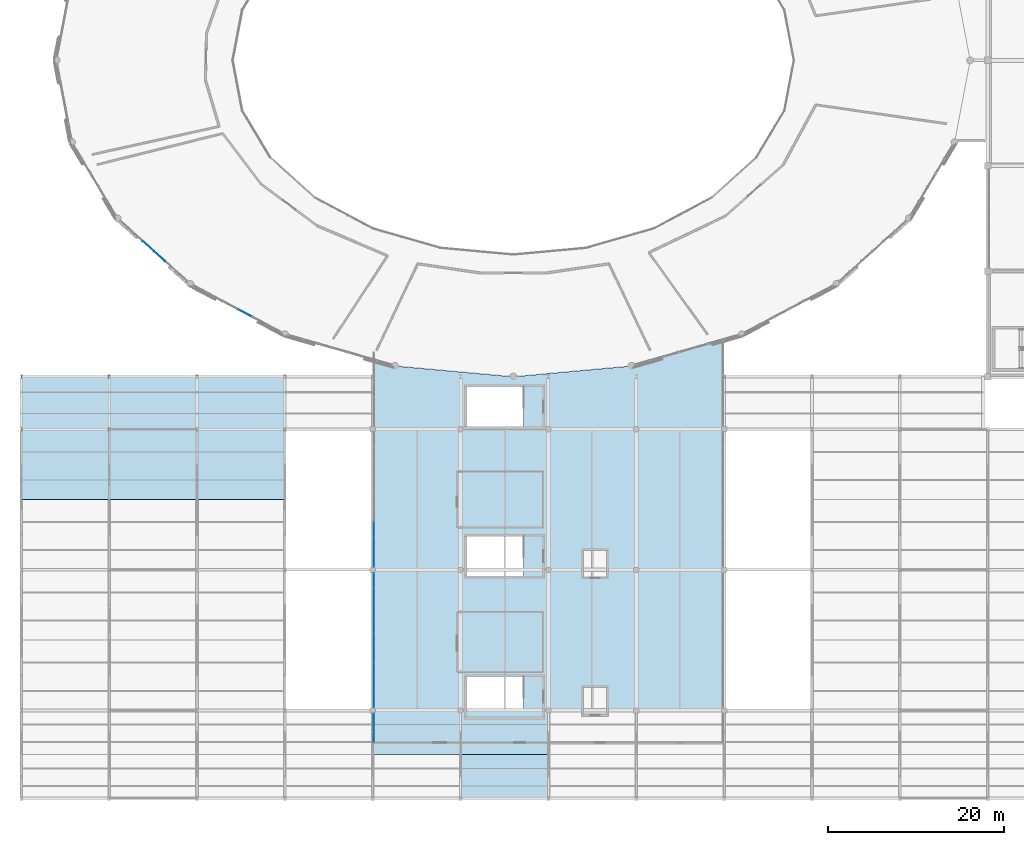
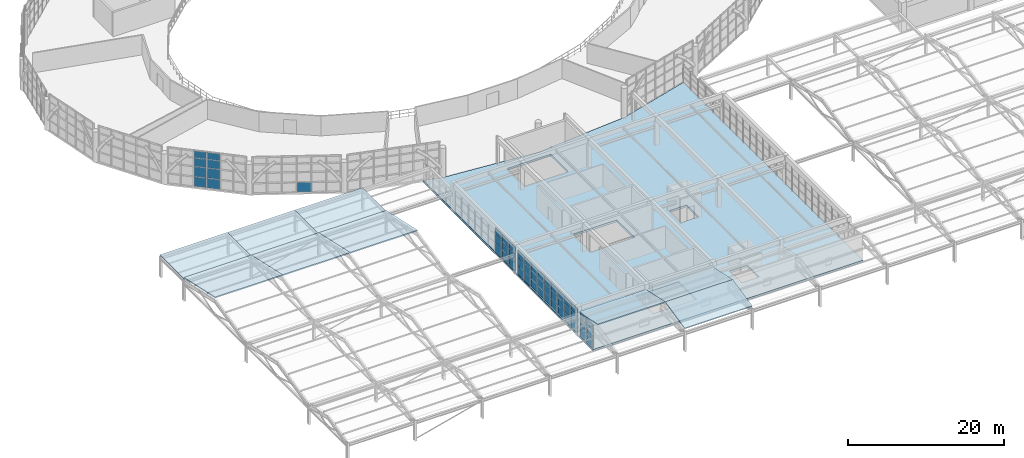
# One storey, part 61 of 109: 51 plates, 10 slabs, 6 elements without a shape of their own.
"""IFC4 building model written with IfcOpenShell, lengths in metres."""

from ifc_helpers import new_model, si_unit, direction, frame, origin, origin_2d, place, context, subcontext, project, spatial, polyline, rectangle, outline, extrude, material, layer, layer_set, type_object, element, aggregate, save


model = new_model("IFC4")

# Units and contexts
model_context = context("Model", 3, precision=1e-05, world=origin(), true_north=direction((0.0, 1.0)))
body_context = subcontext(model_context, "Body", "Model", "MODEL_VIEW")
ifc_project = project(units=[si_unit("LENGTHUNIT", "METRE"), si_unit("AREAUNIT", "SQUARE_METRE"), si_unit("VOLUMEUNIT", "CUBIC_METRE"), si_unit("PLANEANGLEUNIT", "RADIAN"), si_unit("MASSUNIT", "GRAM", prefix="KILO")], contexts=[model_context])

# Site, building, storey
site_placement = place(None, origin())
site = spatial("IfcSite", under=ifc_project, at=site_placement, CompositionType="ELEMENT")
building_placement = place(site_placement, origin())
building = spatial("IfcBuilding", under=site, at=building_placement, Name="Kivolera Central Railway Station", CompositionType="ELEMENT")
storey_placement = place(building_placement, frame((0.0, 0.0, 9.60009765625)))
storey = spatial("IfcBuildingStorey", under=building, at=storey_placement, Name="L02", CompositionType="ELEMENT", Elevation=9.60009765625)

# Curtain wall, plates
ifc_material_1 = material(Name="Anodised aluminium", Category="aluminium")
ifc_layer_1 = layer(ifc_material_1, 0.179931640625, Name="Anodised aluminium")
ifc_layer_set_1 = layer_set([ifc_layer_1], Name="Anodised aluminium")
curtain_wall_type_1 = type_object("IfcCurtainWallType", Name="CW-SYS-06", PredefinedType="NOTDEFINED", material=ifc_layer_set_1)
curtain_wall_1_placement = place(storey_placement, origin())
curtain_wall_1 = element("IfcCurtainWall", 1, at=curtain_wall_1_placement, inside=storey, type_object=curtain_wall_type_1, Name="L02 Curtain Wall CW-L02-OVL-14", PredefinedType="NOTDEFINED")
ifc_material_2 = material(Name="Double low-E laminated glass", Category="glass")
ifc_layer_2 = layer(ifc_material_2, 0.030029296875, Name="Double low-E laminated glass")
ifc_layer_set_2 = layer_set([ifc_layer_2], Name="Double low-E laminated glass")
plate_type_1 = type_object("IfcPlateType", Name="CWP-GLZ-2", PredefinedType="CURTAIN_PANEL", material=ifc_layer_set_2)
plate_1_placement = place(storey_placement, frame((23.737548828125, 67.6953125, 0.057861328125), z_axis=(0.0, 0.0, 1.0), x_axis=(-0.742431873669, 0.669921572246, 0.0)))
plate_1 = element("IfcPlate", 2, at=plate_1_placement, type_object=plate_type_1, Name="CW-06 panel 3.1", PredefinedType="CURTAIN_PANEL", context=body_context, shape_type="SweptSolid", body=[
    extrude(rectangle(XDim=1.675537109375, YDim=0.030029296875, at=origin_2d()), origin(), (0.0, 0.0, 1.0), 1.51904296875),
])
plate_2_placement = place(storey_placement, frame((23.737548828125, 67.6953125, 1.623046875), z_axis=(0.0, 0.0, 1.0), x_axis=(-0.742431873669, 0.669921572246, 0.0)))
plate_2 = element("IfcPlate", 3, at=plate_2_placement, type_object=plate_type_1, Name="CW-06 panel 3.2", PredefinedType="CURTAIN_PANEL", context=body_context, shape_type="SweptSolid", body=[
    extrude(rectangle(XDim=1.675537109375, YDim=0.030029296875, at=origin_2d()), origin(), (0.0, 0.0, 1.0), 1.553955078125),
])
plate_3_placement = place(storey_placement, frame((23.737548828125, 67.6953125, 3.22314453125), z_axis=(0.0, 0.0, 1.0), x_axis=(-0.742431873669, 0.669921572246, 0.0)))
plate_3 = element("IfcPlate", 4, at=plate_3_placement, type_object=plate_type_1, Name="CW-06 panel 3.3", PredefinedType="CURTAIN_PANEL", context=body_context, shape_type="SweptSolid", body=[
    extrude(rectangle(XDim=1.675537109375, YDim=0.030029296875, at=origin_2d()), origin(), (0.0, 0.0, 1.0), 1.303955078125),
])
plate_4_placement = place(storey_placement, frame((23.737548828125, 67.6953125, 4.57275390625), z_axis=(0.0, 0.0, 1.0), x_axis=(-0.742431873669, 0.669921572246, 0.0)))
plate_4 = element("IfcPlate", 5, at=plate_4_placement, type_object=plate_type_1, Name="CW-06 panel 3.4", PredefinedType="CURTAIN_PANEL", context=body_context, shape_type="SweptSolid", body=[
    extrude(rectangle(XDim=1.675537109375, YDim=0.030029296875, at=origin_2d()), origin(), (0.0, 0.0, 1.0), 1.069091796875),
])
plate_5_placement = place(storey_placement, frame((22.45947265625, 68.8486328125, 0.057861328125), z_axis=(0.0, 0.0, 1.0), x_axis=(-0.742431873669, 0.669921572246, 0.0)))
plate_5 = element("IfcPlate", 6, at=plate_5_placement, type_object=plate_type_1, Name="CW-06 panel 4.1", PredefinedType="CURTAIN_PANEL", context=body_context, shape_type="SweptSolid", body=[
    extrude(rectangle(XDim=1.675537109375, YDim=0.030029296875, at=origin_2d()), origin(), (0.0, 0.0, 1.0), 1.51904296875),
])
plate_6_placement = place(storey_placement, frame((22.45947265625, 68.8486328125, 1.623046875), z_axis=(0.0, 0.0, 1.0), x_axis=(-0.742431873669, 0.669921572246, 0.0)))
plate_6 = element("IfcPlate", 7, at=plate_6_placement, type_object=plate_type_1, Name="CW-06 panel 4.2", PredefinedType="CURTAIN_PANEL", context=body_context, shape_type="SweptSolid", body=[
    extrude(rectangle(XDim=1.675537109375, YDim=0.030029296875, at=origin_2d()), origin(), (0.0, 0.0, 1.0), 1.553955078125),
])
plate_7_placement = place(storey_placement, frame((22.45947265625, 68.8486328125, 3.22314453125), z_axis=(0.0, 0.0, 1.0), x_axis=(-0.742431873669, 0.669921572246, 0.0)))
plate_7 = element("IfcPlate", 8, at=plate_7_placement, type_object=plate_type_1, Name="CW-06 panel 4.3", PredefinedType="CURTAIN_PANEL", context=body_context, shape_type="SweptSolid", body=[
    extrude(rectangle(XDim=1.675537109375, YDim=0.030029296875, at=origin_2d()), origin(), (0.0, 0.0, 1.0), 1.303955078125),
])
plate_8_placement = place(storey_placement, frame((22.45947265625, 68.8486328125, 4.57275390625), z_axis=(0.0, 0.0, 1.0), x_axis=(-0.742431873669, 0.669921572246, 0.0)))
plate_8 = element("IfcPlate", 9, at=plate_8_placement, type_object=plate_type_1, Name="CW-06 panel 4.4", PredefinedType="CURTAIN_PANEL", context=body_context, shape_type="SweptSolid", body=[
    extrude(rectangle(XDim=1.675537109375, YDim=0.030029296875, at=origin_2d()), origin(), (0.0, 0.0, 1.0), 1.069091796875),
])
aggregate(curtain_wall_1, [plate_1, plate_2, plate_3, plate_4, plate_5, plate_6, plate_7, plate_8])

ifc_layer_3 = layer(ifc_material_1, 0.179931640625, Name="Anodised aluminium")
ifc_layer_set_3 = layer_set([ifc_layer_3], Name="Anodised aluminium")
curtain_wall_type_2 = type_object("IfcCurtainWallType", Name="CW-SYS-17", PredefinedType="NOTDEFINED", material=ifc_layer_set_3)
curtain_wall_2_placement = place(storey_placement, origin())
curtain_wall_2 = element("IfcCurtainWall", 10, at=curtain_wall_2_placement, inside=storey, type_object=curtain_wall_type_2, Name="L02 Curtain Wall CW-L02-BRGW-1", PredefinedType="NOTDEFINED")
plate_9_placement = place(storey_placement, frame((48.1201171875, 13.199951171875, 0.0478515625), z_axis=(0.0, 0.0, 1.0), x_axis=(0.0, 1.0, 0.0)))
plate_9 = element("IfcPlate", 11, at=plate_9_placement, type_object=plate_type_1, Name="CW-17 panel 1.1", PredefinedType="CURTAIN_PANEL", context=body_context, shape_type="SweptSolid", body=[
    extrude(rectangle(XDim=1.60400390625, YDim=0.030029296875, at=origin_2d()), origin(), (0.0, 0.0, 1.0), 1.263916015625),
])
plate_10_placement = place(storey_placement, frame((48.1201171875, 13.199951171875, 1.347900390625), z_axis=(0.0, 0.0, 1.0), x_axis=(0.0, 1.0, 0.0)))
plate_10 = element("IfcPlate", 12, at=plate_10_placement, type_object=plate_type_1, Name="CW-17 panel 1.2", PredefinedType="CURTAIN_PANEL", context=body_context, shape_type="SweptSolid", body=[
    extrude(rectangle(XDim=1.60400390625, YDim=0.030029296875, at=origin_2d()), origin(), (0.0, 0.0, 1.0), 1.2939453125),
])
plate_11_placement = place(storey_placement, frame((48.1201171875, 13.199951171875, 2.677734375), z_axis=(0.0, 0.0, 1.0), x_axis=(0.0, 1.0, 0.0)))
plate_11 = element("IfcPlate", 13, at=plate_11_placement, type_object=plate_type_1, Name="CW-17 panel 1.3", PredefinedType="CURTAIN_PANEL", context=body_context, shape_type="SweptSolid", body=[
    extrude(rectangle(XDim=1.60400390625, YDim=0.030029296875, at=origin_2d()), origin(), (0.0, 0.0, 1.0), 1.073974609375),
])
plate_12_placement = place(storey_placement, frame((48.1201171875, 14.840087890625, 0.0478515625), z_axis=(0.0, 0.0, 1.0), x_axis=(0.0, 1.0, 0.0)))
plate_12 = element("IfcPlate", 14, at=plate_12_placement, type_object=plate_type_1, Name="CW-17 panel 2.1", PredefinedType="CURTAIN_PANEL", context=body_context, shape_type="SweptSolid", body=[
    extrude(rectangle(XDim=1.60400390625, YDim=0.030029296875, at=origin_2d()), origin(), (0.0, 0.0, 1.0), 1.263916015625),
])
plate_13_placement = place(storey_placement, frame((48.1201171875, 14.840087890625, 1.347900390625), z_axis=(0.0, 0.0, 1.0), x_axis=(0.0, 1.0, 0.0)))
plate_13 = element("IfcPlate", 15, at=plate_13_placement, type_object=plate_type_1, Name="CW-17 panel 2.2", PredefinedType="CURTAIN_PANEL", context=body_context, shape_type="SweptSolid", body=[
    extrude(rectangle(XDim=1.60400390625, YDim=0.030029296875, at=origin_2d()), origin(), (0.0, 0.0, 1.0), 1.2939453125),
])
plate_14_placement = place(storey_placement, frame((48.1201171875, 14.840087890625, 2.677734375), z_axis=(0.0, 0.0, 1.0), x_axis=(0.0, 1.0, 0.0)))
plate_14 = element("IfcPlate", 16, at=plate_14_placement, type_object=plate_type_1, Name="CW-17 panel 2.3", PredefinedType="CURTAIN_PANEL", context=body_context, shape_type="SweptSolid", body=[
    extrude(rectangle(XDim=1.60400390625, YDim=0.030029296875, at=origin_2d()), origin(), (0.0, 0.0, 1.0), 1.073974609375),
])
aggregate(curtain_wall_2, [plate_9, plate_10, plate_11, plate_12, plate_13, plate_14])

# Curtain wall, plate
ifc_layer_4 = layer(ifc_material_1, 0.179931640625, Name="Anodised aluminium")
ifc_layer_set_4 = layer_set([ifc_layer_4], Name="Anodised aluminium")
curtain_wall_type_3 = type_object("IfcCurtainWallType", Name="CW-SYS-09", PredefinedType="NOTDEFINED", material=ifc_layer_set_4)
curtain_wall_3_placement = place(storey_placement, origin())
curtain_wall_3 = element("IfcCurtainWall", 17, at=curtain_wall_3_placement, inside=storey, type_object=curtain_wall_type_3, Name="L02 Curtain Wall CW-L02-OVL-15", PredefinedType="NOTDEFINED")
ifc_layer_5 = layer(ifc_material_2, 0.033935546875, Name="Double low-E laminated glass")
ifc_layer_set_5 = layer_set([ifc_layer_5], Name="Double low-E laminated glass")
plate_type_2 = type_object("IfcPlateType", Name="CWP-GLZ-3", PredefinedType="CURTAIN_PANEL", material=ifc_layer_set_5)
plate_15_placement = place(storey_placement, frame((33.45361328125, 61.238037109375, 0.057861328125), z_axis=(0.0, 0.0, 1.0), x_axis=(-0.883170250772, 0.46905256438, 0.0)))
plate_15 = element("IfcPlate", 18, at=plate_15_placement, type_object=plate_type_2, Name="CW-09 panel 3.1", PredefinedType="CURTAIN_PANEL", context=body_context, shape_type="SweptSolid", body=[
    extrude(rectangle(XDim=1.853271484375, YDim=0.033935546875, at=origin_2d()), origin(), (0.0, 0.0, 1.0), 1.51904296875),
])
aggregate(curtain_wall_3, [plate_15])

# Curtain wall, plates
ifc_layer_6 = layer(ifc_material_1, 0.179931640625, Name="Anodised aluminium")
ifc_layer_set_6 = layer_set([ifc_layer_6], Name="Anodised aluminium")
curtain_wall_type_4 = type_object("IfcCurtainWallType", Name="CW-SYS-18", PredefinedType="NOTDEFINED", material=ifc_layer_set_6)
curtain_wall_4_placement = place(storey_placement, origin())
curtain_wall_4 = element("IfcCurtainWall", 19, at=curtain_wall_4_placement, inside=storey, type_object=curtain_wall_type_4, Name="L02 Curtain Wall CW-L02-BRGW-2", PredefinedType="NOTDEFINED")
plate_16_placement = place(storey_placement, frame((48.1201171875, 17.179443359375, 0.0478515625), z_axis=(0.0, 0.0, 1.0), x_axis=(0.0, 1.0, 0.0)))
plate_16 = element("IfcPlate", 20, at=plate_16_placement, type_object=plate_type_2, Name="CW-18 panel 1.1", PredefinedType="CURTAIN_PANEL", context=body_context, shape_type="SweptSolid", body=[
    extrude(rectangle(XDim=1.642822265625, YDim=0.033935546875, at=origin_2d()), origin(), (0.0, 0.0, 1.0), 1.263916015625),
])
plate_17_placement = place(storey_placement, frame((48.1201171875, 17.179443359375, 1.347900390625), z_axis=(0.0, 0.0, 1.0), x_axis=(0.0, 1.0, 0.0)))
plate_17 = element("IfcPlate", 21, at=plate_17_placement, type_object=plate_type_2, Name="CW-18 panel 1.2", PredefinedType="CURTAIN_PANEL", context=body_context, shape_type="SweptSolid", body=[
    extrude(rectangle(XDim=1.642822265625, YDim=0.033935546875, at=origin_2d()), origin(), (0.0, 0.0, 1.0), 1.2939453125),
])
plate_18_placement = place(storey_placement, frame((48.1201171875, 17.179443359375, 2.677734375), z_axis=(0.0, 0.0, 1.0), x_axis=(0.0, 1.0, 0.0)))
plate_18 = element("IfcPlate", 22, at=plate_18_placement, type_object=plate_type_2, Name="CW-18 panel 1.3", PredefinedType="CURTAIN_PANEL", context=body_context, shape_type="SweptSolid", body=[
    extrude(rectangle(XDim=1.642822265625, YDim=0.033935546875, at=origin_2d()), origin(), (0.0, 0.0, 1.0), 1.073974609375),
])
plate_19_placement = place(storey_placement, frame((48.1201171875, 18.873291015625, 0.0478515625), z_axis=(0.0, 0.0, 1.0), x_axis=(0.0, 1.0, 0.0)))
plate_19 = element("IfcPlate", 23, at=plate_19_placement, type_object=plate_type_2, Name="CW-18 panel 2.1", PredefinedType="CURTAIN_PANEL", context=body_context, shape_type="SweptSolid", body=[
    extrude(rectangle(XDim=1.6728515625, YDim=0.033935546875, at=origin_2d()), origin(), (0.0, 0.0, 1.0), 1.263916015625),
])
plate_20_placement = place(storey_placement, frame((48.1201171875, 18.873291015625, 1.347900390625), z_axis=(0.0, 0.0, 1.0), x_axis=(0.0, 1.0, 0.0)))
plate_20 = element("IfcPlate", 24, at=plate_20_placement, type_object=plate_type_2, Name="CW-18 panel 2.2", PredefinedType="CURTAIN_PANEL", context=body_context, shape_type="SweptSolid", body=[
    extrude(rectangle(XDim=1.6728515625, YDim=0.033935546875, at=origin_2d()), origin(), (0.0, 0.0, 1.0), 1.2939453125),
])
plate_21_placement = place(storey_placement, frame((48.1201171875, 18.873291015625, 2.677734375), z_axis=(0.0, 0.0, 1.0), x_axis=(0.0, 1.0, 0.0)))
plate_21 = element("IfcPlate", 25, at=plate_21_placement, type_object=plate_type_2, Name="CW-18 panel 2.3", PredefinedType="CURTAIN_PANEL", context=body_context, shape_type="SweptSolid", body=[
    extrude(rectangle(XDim=1.6728515625, YDim=0.033935546875, at=origin_2d()), origin(), (0.0, 0.0, 1.0), 1.073974609375),
])
plate_22_placement = place(storey_placement, frame((48.1201171875, 20.582275390625, 0.0478515625), z_axis=(0.0, 0.0, 1.0), x_axis=(0.0, 1.0, 0.0)))
plate_22 = element("IfcPlate", 26, at=plate_22_placement, type_object=plate_type_2, Name="CW-18 panel 3.1", PredefinedType="CURTAIN_PANEL", context=body_context, shape_type="SweptSolid", body=[
    extrude(rectangle(XDim=1.6728515625, YDim=0.033935546875, at=origin_2d()), origin(), (0.0, 0.0, 1.0), 1.263916015625),
])
plate_23_placement = place(storey_placement, frame((48.1201171875, 20.582275390625, 1.347900390625), z_axis=(0.0, 0.0, 1.0), x_axis=(0.0, 1.0, 0.0)))
plate_23 = element("IfcPlate", 27, at=plate_23_placement, type_object=plate_type_2, Name="CW-18 panel 3.2", PredefinedType="CURTAIN_PANEL", context=body_context, shape_type="SweptSolid", body=[
    extrude(rectangle(XDim=1.6728515625, YDim=0.033935546875, at=origin_2d()), origin(), (0.0, 0.0, 1.0), 1.2939453125),
])
plate_24_placement = place(storey_placement, frame((48.1201171875, 20.582275390625, 2.677734375), z_axis=(0.0, 0.0, 1.0), x_axis=(0.0, 1.0, 0.0)))
plate_24 = element("IfcPlate", 28, at=plate_24_placement, type_object=plate_type_2, Name="CW-18 panel 3.3", PredefinedType="CURTAIN_PANEL", context=body_context, shape_type="SweptSolid", body=[
    extrude(rectangle(XDim=1.6728515625, YDim=0.033935546875, at=origin_2d()), origin(), (0.0, 0.0, 1.0), 1.073974609375),
])
plate_25_placement = place(storey_placement, frame((48.1201171875, 22.291015625, 0.0478515625), z_axis=(0.0, 0.0, 1.0), x_axis=(0.0, 1.0, 0.0)))
plate_25 = element("IfcPlate", 29, at=plate_25_placement, type_object=plate_type_2, Name="CW-18 panel 4.1", PredefinedType="CURTAIN_PANEL", context=body_context, shape_type="SweptSolid", body=[
    extrude(rectangle(XDim=1.6728515625, YDim=0.033935546875, at=origin_2d()), origin(), (0.0, 0.0, 1.0), 1.263916015625),
])
plate_26_placement = place(storey_placement, frame((48.1201171875, 22.291015625, 1.347900390625), z_axis=(0.0, 0.0, 1.0), x_axis=(0.0, 1.0, 0.0)))
plate_26 = element("IfcPlate", 30, at=plate_26_placement, type_object=plate_type_2, Name="CW-18 panel 4.2", PredefinedType="CURTAIN_PANEL", context=body_context, shape_type="SweptSolid", body=[
    extrude(rectangle(XDim=1.6728515625, YDim=0.033935546875, at=origin_2d()), origin(), (0.0, 0.0, 1.0), 1.2939453125),
])
plate_27_placement = place(storey_placement, frame((48.1201171875, 22.291015625, 2.677734375), z_axis=(0.0, 0.0, 1.0), x_axis=(0.0, 1.0, 0.0)))
plate_27 = element("IfcPlate", 31, at=plate_27_placement, type_object=plate_type_2, Name="CW-18 panel 4.3", PredefinedType="CURTAIN_PANEL", context=body_context, shape_type="SweptSolid", body=[
    extrude(rectangle(XDim=1.6728515625, YDim=0.033935546875, at=origin_2d()), origin(), (0.0, 0.0, 1.0), 1.073974609375),
])
plate_28_placement = place(storey_placement, frame((48.1201171875, 24.0, 0.0478515625), z_axis=(0.0, 0.0, 1.0), x_axis=(0.0, 1.0, 0.0)))
plate_28 = element("IfcPlate", 32, at=plate_28_placement, type_object=plate_type_2, Name="CW-18 panel 5.1", PredefinedType="CURTAIN_PANEL", context=body_context, shape_type="SweptSolid", body=[
    extrude(rectangle(XDim=1.6728515625, YDim=0.033935546875, at=origin_2d()), origin(), (0.0, 0.0, 1.0), 1.263916015625),
])
plate_29_placement = place(storey_placement, frame((48.1201171875, 24.0, 1.347900390625), z_axis=(0.0, 0.0, 1.0), x_axis=(0.0, 1.0, 0.0)))
plate_29 = element("IfcPlate", 33, at=plate_29_placement, type_object=plate_type_2, Name="CW-18 panel 5.2", PredefinedType="CURTAIN_PANEL", context=body_context, shape_type="SweptSolid", body=[
    extrude(rectangle(XDim=1.6728515625, YDim=0.033935546875, at=origin_2d()), origin(), (0.0, 0.0, 1.0), 1.2939453125),
])
plate_30_placement = place(storey_placement, frame((48.1201171875, 24.0, 2.677734375), z_axis=(0.0, 0.0, 1.0), x_axis=(0.0, 1.0, 0.0)))
plate_30 = element("IfcPlate", 34, at=plate_30_placement, type_object=plate_type_2, Name="CW-18 panel 5.3", PredefinedType="CURTAIN_PANEL", context=body_context, shape_type="SweptSolid", body=[
    extrude(rectangle(XDim=1.6728515625, YDim=0.033935546875, at=origin_2d()), origin(), (0.0, 0.0, 1.0), 1.073974609375),
])
plate_31_placement = place(storey_placement, frame((48.1201171875, 25.708984375, 0.0478515625), z_axis=(0.0, 0.0, 1.0), x_axis=(0.0, 1.0, 0.0)))
plate_31 = element("IfcPlate", 35, at=plate_31_placement, type_object=plate_type_2, Name="CW-18 panel 6.1", PredefinedType="CURTAIN_PANEL", context=body_context, shape_type="SweptSolid", body=[
    extrude(rectangle(XDim=1.6728515625, YDim=0.033935546875, at=origin_2d()), origin(), (0.0, 0.0, 1.0), 1.263916015625),
])
plate_32_placement = place(storey_placement, frame((48.1201171875, 25.708984375, 1.347900390625), z_axis=(0.0, 0.0, 1.0), x_axis=(0.0, 1.0, 0.0)))
plate_32 = element("IfcPlate", 36, at=plate_32_placement, type_object=plate_type_2, Name="CW-18 panel 6.2", PredefinedType="CURTAIN_PANEL", context=body_context, shape_type="SweptSolid", body=[
    extrude(rectangle(XDim=1.6728515625, YDim=0.033935546875, at=origin_2d()), origin(), (0.0, 0.0, 1.0), 1.2939453125),
])
plate_33_placement = place(storey_placement, frame((48.1201171875, 25.708984375, 2.677734375), z_axis=(0.0, 0.0, 1.0), x_axis=(0.0, 1.0, 0.0)))
plate_33 = element("IfcPlate", 37, at=plate_33_placement, type_object=plate_type_2, Name="CW-18 panel 6.3", PredefinedType="CURTAIN_PANEL", context=body_context, shape_type="SweptSolid", body=[
    extrude(rectangle(XDim=1.6728515625, YDim=0.033935546875, at=origin_2d()), origin(), (0.0, 0.0, 1.0), 1.073974609375),
])
plate_34_placement = place(storey_placement, frame((48.1201171875, 27.417724609375, 0.0478515625), z_axis=(0.0, 0.0, 1.0), x_axis=(0.0, 1.0, 0.0)))
plate_34 = element("IfcPlate", 38, at=plate_34_placement, type_object=plate_type_2, Name="CW-18 panel 7.1", PredefinedType="CURTAIN_PANEL", context=body_context, shape_type="SweptSolid", body=[
    extrude(rectangle(XDim=1.6728515625, YDim=0.033935546875, at=origin_2d()), origin(), (0.0, 0.0, 1.0), 1.263916015625),
])
plate_35_placement = place(storey_placement, frame((48.1201171875, 27.417724609375, 1.347900390625), z_axis=(0.0, 0.0, 1.0), x_axis=(0.0, 1.0, 0.0)))
plate_35 = element("IfcPlate", 39, at=plate_35_placement, type_object=plate_type_2, Name="CW-18 panel 7.2", PredefinedType="CURTAIN_PANEL", context=body_context, shape_type="SweptSolid", body=[
    extrude(rectangle(XDim=1.6728515625, YDim=0.033935546875, at=origin_2d()), origin(), (0.0, 0.0, 1.0), 1.2939453125),
])
plate_36_placement = place(storey_placement, frame((48.1201171875, 27.417724609375, 2.677734375), z_axis=(0.0, 0.0, 1.0), x_axis=(0.0, 1.0, 0.0)))
plate_36 = element("IfcPlate", 40, at=plate_36_placement, type_object=plate_type_2, Name="CW-18 panel 7.3", PredefinedType="CURTAIN_PANEL", context=body_context, shape_type="SweptSolid", body=[
    extrude(rectangle(XDim=1.6728515625, YDim=0.033935546875, at=origin_2d()), origin(), (0.0, 0.0, 1.0), 1.073974609375),
])
plate_37_placement = place(storey_placement, frame((48.1201171875, 29.126708984375, 0.0478515625), z_axis=(0.0, 0.0, 1.0), x_axis=(0.0, 1.0, 0.0)))
plate_37 = element("IfcPlate", 41, at=plate_37_placement, type_object=plate_type_2, Name="CW-18 panel 8.1", PredefinedType="CURTAIN_PANEL", context=body_context, shape_type="SweptSolid", body=[
    extrude(rectangle(XDim=1.6728515625, YDim=0.033935546875, at=origin_2d()), origin(), (0.0, 0.0, 1.0), 1.263916015625),
])
plate_38_placement = place(storey_placement, frame((48.1201171875, 29.126708984375, 1.347900390625), z_axis=(0.0, 0.0, 1.0), x_axis=(0.0, 1.0, 0.0)))
plate_38 = element("IfcPlate", 42, at=plate_38_placement, type_object=plate_type_2, Name="CW-18 panel 8.2", PredefinedType="CURTAIN_PANEL", context=body_context, shape_type="SweptSolid", body=[
    extrude(rectangle(XDim=1.6728515625, YDim=0.033935546875, at=origin_2d()), origin(), (0.0, 0.0, 1.0), 1.2939453125),
])
plate_39_placement = place(storey_placement, frame((48.1201171875, 29.126708984375, 2.677734375), z_axis=(0.0, 0.0, 1.0), x_axis=(0.0, 1.0, 0.0)))
plate_39 = element("IfcPlate", 43, at=plate_39_placement, type_object=plate_type_2, Name="CW-18 panel 8.3", PredefinedType="CURTAIN_PANEL", context=body_context, shape_type="SweptSolid", body=[
    extrude(rectangle(XDim=1.6728515625, YDim=0.033935546875, at=origin_2d()), origin(), (0.0, 0.0, 1.0), 1.073974609375),
])
plate_40_placement = place(storey_placement, frame((48.1201171875, 30.820556640625, 0.0478515625), z_axis=(0.0, 0.0, 1.0), x_axis=(0.0, 1.0, 0.0)))
plate_40 = element("IfcPlate", 44, at=plate_40_placement, type_object=plate_type_2, Name="CW-18 panel 9.1", PredefinedType="CURTAIN_PANEL", context=body_context, shape_type="SweptSolid", body=[
    extrude(rectangle(XDim=1.642822265625, YDim=0.033935546875, at=origin_2d()), origin(), (0.0, 0.0, 1.0), 1.263916015625),
])
plate_41_placement = place(storey_placement, frame((48.1201171875, 30.820556640625, 1.347900390625), z_axis=(0.0, 0.0, 1.0), x_axis=(0.0, 1.0, 0.0)))
plate_41 = element("IfcPlate", 45, at=plate_41_placement, type_object=plate_type_2, Name="CW-18 panel 9.2", PredefinedType="CURTAIN_PANEL", context=body_context, shape_type="SweptSolid", body=[
    extrude(rectangle(XDim=1.642822265625, YDim=0.033935546875, at=origin_2d()), origin(), (0.0, 0.0, 1.0), 1.2939453125),
])
plate_42_placement = place(storey_placement, frame((48.1201171875, 30.820556640625, 2.677734375), z_axis=(0.0, 0.0, 1.0), x_axis=(0.0, 1.0, 0.0)))
plate_42 = element("IfcPlate", 46, at=plate_42_placement, type_object=plate_type_2, Name="CW-18 panel 9.3", PredefinedType="CURTAIN_PANEL", context=body_context, shape_type="SweptSolid", body=[
    extrude(rectangle(XDim=1.642822265625, YDim=0.033935546875, at=origin_2d()), origin(), (0.0, 0.0, 1.0), 1.073974609375),
])
aggregate(curtain_wall_4, [plate_16, plate_17, plate_18, plate_19, plate_20, plate_21, plate_22, plate_23, plate_24, plate_25, plate_26, plate_27, plate_28, plate_29, plate_30, plate_31, plate_32, plate_33, plate_34, plate_35, plate_36, plate_37, plate_38, plate_39, plate_40, plate_41, plate_42])

curtain_wall_5_placement = place(storey_placement, origin())
curtain_wall_5 = element("IfcCurtainWall", 47, at=curtain_wall_5_placement, inside=storey, type_object=curtain_wall_type_4, Name="L02 Curtain Wall CW-L02-BRGW-3", PredefinedType="NOTDEFINED")
ifc_layer_7 = layer(ifc_material_2, 0.0380859375, Name="Double low-E laminated glass")
ifc_layer_set_7 = layer_set([ifc_layer_7], Name="Double low-E laminated glass")
plate_type_3 = type_object("IfcPlateType", Name="CWP-GLZ-4", PredefinedType="CURTAIN_PANEL", material=ifc_layer_set_7)
plate_43_placement = place(storey_placement, frame((48.1201171875, 33.179443359375, 0.0478515625), z_axis=(0.0, 0.0, 1.0), x_axis=(0.0, 1.0, 0.0)))
plate_43 = element("IfcPlate", 48, at=plate_43_placement, type_object=plate_type_3, Name="CW-18 panel 1.1", PredefinedType="CURTAIN_PANEL", context=body_context, shape_type="SweptSolid", body=[
    extrude(rectangle(XDim=1.642822265625, YDim=0.0380859375, at=origin_2d()), origin(), (0.0, 0.0, 1.0), 1.263916015625),
])
plate_44_placement = place(storey_placement, frame((48.1201171875, 33.179443359375, 1.347900390625), z_axis=(0.0, 0.0, 1.0), x_axis=(0.0, 1.0, 0.0)))
plate_44 = element("IfcPlate", 49, at=plate_44_placement, type_object=plate_type_3, Name="CW-18 panel 1.2", PredefinedType="CURTAIN_PANEL", context=body_context, shape_type="SweptSolid", body=[
    extrude(rectangle(XDim=1.642822265625, YDim=0.0380859375, at=origin_2d()), origin(), (0.0, 0.0, 1.0), 1.2939453125),
])
plate_45_placement = place(storey_placement, frame((48.1201171875, 33.179443359375, 2.677734375), z_axis=(0.0, 0.0, 1.0), x_axis=(0.0, 1.0, 0.0)))
plate_45 = element("IfcPlate", 50, at=plate_45_placement, type_object=plate_type_3, Name="CW-18 panel 1.3", PredefinedType="CURTAIN_PANEL", context=body_context, shape_type="SweptSolid", body=[
    extrude(rectangle(XDim=1.642822265625, YDim=0.0380859375, at=origin_2d()), origin(), (0.0, 0.0, 1.0), 1.073974609375),
])
plate_46_placement = place(storey_placement, frame((48.1201171875, 34.873291015625, 0.0478515625), z_axis=(0.0, 0.0, 1.0), x_axis=(0.0, 1.0, 0.0)))
plate_46 = element("IfcPlate", 51, at=plate_46_placement, type_object=plate_type_3, Name="CW-18 panel 2.1", PredefinedType="CURTAIN_PANEL", context=body_context, shape_type="SweptSolid", body=[
    extrude(rectangle(XDim=1.6728515625, YDim=0.0380859375, at=origin_2d()), origin(), (0.0, 0.0, 1.0), 1.263916015625),
])
plate_47_placement = place(storey_placement, frame((48.1201171875, 34.873291015625, 1.347900390625), z_axis=(0.0, 0.0, 1.0), x_axis=(0.0, 1.0, 0.0)))
plate_47 = element("IfcPlate", 52, at=plate_47_placement, type_object=plate_type_3, Name="CW-18 panel 2.2", PredefinedType="CURTAIN_PANEL", context=body_context, shape_type="SweptSolid", body=[
    extrude(rectangle(XDim=1.6728515625, YDim=0.0380859375, at=origin_2d()), origin(), (0.0, 0.0, 1.0), 1.2939453125),
])
plate_48_placement = place(storey_placement, frame((48.1201171875, 34.873291015625, 2.677734375), z_axis=(0.0, 0.0, 1.0), x_axis=(0.0, 1.0, 0.0)))
plate_48 = element("IfcPlate", 53, at=plate_48_placement, type_object=plate_type_3, Name="CW-18 panel 2.3", PredefinedType="CURTAIN_PANEL", context=body_context, shape_type="SweptSolid", body=[
    extrude(rectangle(XDim=1.6728515625, YDim=0.0380859375, at=origin_2d()), origin(), (0.0, 0.0, 1.0), 1.073974609375),
])
plate_49_placement = place(storey_placement, frame((48.1201171875, 36.582275390625, 0.0478515625), z_axis=(0.0, 0.0, 1.0), x_axis=(0.0, 1.0, 0.0)))
plate_49 = element("IfcPlate", 54, at=plate_49_placement, type_object=plate_type_3, Name="CW-18 panel 3.1", PredefinedType="CURTAIN_PANEL", context=body_context, shape_type="SweptSolid", body=[
    extrude(rectangle(XDim=1.6728515625, YDim=0.0380859375, at=origin_2d()), origin(), (0.0, 0.0, 1.0), 1.263916015625),
])
plate_50_placement = place(storey_placement, frame((48.1201171875, 36.582275390625, 1.347900390625), z_axis=(0.0, 0.0, 1.0), x_axis=(0.0, 1.0, 0.0)))
plate_50 = element("IfcPlate", 55, at=plate_50_placement, type_object=plate_type_3, Name="CW-18 panel 3.2", PredefinedType="CURTAIN_PANEL", context=body_context, shape_type="SweptSolid", body=[
    extrude(rectangle(XDim=1.6728515625, YDim=0.0380859375, at=origin_2d()), origin(), (0.0, 0.0, 1.0), 1.2939453125),
])
plate_51_placement = place(storey_placement, frame((48.1201171875, 36.582275390625, 2.677734375), z_axis=(0.0, 0.0, 1.0), x_axis=(0.0, 1.0, 0.0)))
plate_51 = element("IfcPlate", 56, at=plate_51_placement, type_object=plate_type_3, Name="CW-18 panel 3.3", PredefinedType="CURTAIN_PANEL", context=body_context, shape_type="SweptSolid", body=[
    extrude(rectangle(XDim=1.6728515625, YDim=0.0380859375, at=origin_2d()), origin(), (0.0, 0.0, 1.0), 1.073974609375),
])
aggregate(curtain_wall_5, [plate_43, plate_44, plate_45, plate_46, plate_47, plate_48, plate_49, plate_50, plate_51])

# Slab
ifc_material_3 = material(Name="Concrete C40/50", Category="concrete")
ifc_layer_8 = layer(ifc_material_3, 0.320068359375, Name="Concrete C40/50")
ifc_layer_set_8 = layer_set([ifc_layer_8], Name="Concrete C40/50")
slab_type_1 = type_object("IfcSlabType", Name="SLB-FLR-320", PredefinedType="FLOOR", material=ifc_layer_set_8)
slab_1_placement = place(storey_placement, frame((0.0, 0.0, -0.320068359375)))
element("IfcSlab", 57, at=slab_1_placement, inside=storey, type_object=slab_type_1, Name="L02 Over-Track Paid Concourse Bridge Slab", PredefinedType="FLOOR", context=body_context, shape_type="SweptSolid", body=[
    extrude(outline(polyline([(88.0, 12.199951171875), (48.0, 12.199951171875), (48.0, 55.929931640625), (50.535888671875, 55.201904296875), (64.0, 53.97509765625), (77.464111328125, 55.201904296875), (88.0, 58.22412109375), (88.0, 12.199951171875)]), holes=[polyline([(65.139892578125, 52.800048828125), (58.699951171875, 52.800048828125), (58.699951171875, 48.300048828125), (65.139892578125, 48.300048828125), (65.139892578125, 52.800048828125)]), polyline([(65.139892578125, 35.800048828125), (58.699951171875, 35.800048828125), (58.699951171875, 31.300048828125), (65.139892578125, 31.300048828125), (65.139892578125, 35.800048828125)]), polyline([(65.139892578125, 19.800048828125), (58.699951171875, 19.800048828125), (58.699951171875, 15.300048828125), (65.139892578125, 15.300048828125), (65.139892578125, 19.800048828125)]), polyline([(72.0, 31.199951171875), (74.60009765625, 31.199951171875), (74.60009765625, 34.199951171875), (72.0, 34.199951171875), (72.0, 31.199951171875)]), polyline([(72.0, 15.60009765625), (74.60009765625, 15.60009765625), (74.60009765625, 18.60009765625), (72.0, 18.60009765625), (72.0, 15.60009765625)])]), origin(), (0.0, 0.0, 1.0), 0.320068359375),
])

# Roof, slabs
ifc_material_4 = material(Name="Steel S355", Category="steel")
roof_type = type_object("IfcRoofType", Name="ROOF-SYS-1", PredefinedType="GABLE_ROOF", material=ifc_material_4)
roof_placement = place(storey_placement, origin())
roof = element("IfcRoof", 58, at=roof_placement, inside=storey, type_object=roof_type, Name="Southern Through-Platform Dual-Pitch Steel Train-Shed Roof", PredefinedType="GABLE_ROOF")
ifc_material_5 = material(Name="Precast concrete C40/50", Category="concrete")
ifc_layer_9 = layer(ifc_material_5, 0.159912109375, Name="Precast concrete C40/50")
ifc_layer_set_9 = layer_set([ifc_layer_9], Name="Precast concrete C40/50")
slab_type_2 = type_object("IfcSlabType", Name="SLB-SHED-160", PredefinedType="ROOF", material=ifc_layer_set_9)
slab_2_placement = place(storey_placement, frame((8.0, 40.0, 5.35986328125), z_axis=(0.0, 0.214862919829, 0.97664421653), x_axis=(1.0, 0.0, 0.0)))
slab_2 = element("IfcSlab", 59, at=slab_2_placement, type_object=slab_type_2, Name="Train Shed Sloped Roof Panel CD-01N", PredefinedType="ROOF", context=body_context, shape_type="SweptSolid", body=[
    extrude(outline(polyline([(0.0, 0.0), (10.0, 0.0), (10.0, 8.19131456941408), (0.0, 8.19131456941408), (0.0, 0.0)])), origin(), (0.0, 0.0, -1.0), 0.159912109375),
])
slab_3_placement = place(storey_placement, frame((18.0, 40.0, 5.35986328125), z_axis=(0.0, 0.214862919829, 0.97664421653), x_axis=(1.0, 0.0, 0.0)))
slab_3 = element("IfcSlab", 60, at=slab_3_placement, type_object=slab_type_2, Name="Train Shed Sloped Roof Panel CD-02N", PredefinedType="ROOF", context=body_context, shape_type="SweptSolid", body=[
    extrude(outline(polyline([(0.0, 0.0), (10.0, 0.0), (10.0, 8.19131456941408), (0.0, 8.19131456941408), (0.0, 0.0)])), origin(), (0.0, 0.0, -1.0), 0.159912109375),
])
slab_4_placement = place(storey_placement, frame((28.0, 40.0, 5.35986328125), z_axis=(0.0, 0.214862919829, 0.97664421653), x_axis=(1.0, 0.0, 0.0)))
slab_4 = element("IfcSlab", 61, at=slab_4_placement, type_object=slab_type_2, Name="Train Shed Sloped Roof Panel CD-03N", PredefinedType="ROOF", context=body_context, shape_type="SweptSolid", body=[
    extrude(outline(polyline([(0.0, 0.0), (10.0, 0.0), (10.0, 8.19131456941408), (0.0, 8.19131456941408), (0.0, 0.0)])), origin(), (0.0, 0.0, -1.0), 0.159912109375),
])
slab_5_placement = place(storey_placement, frame((48.0, 11.0, 4.699951171875), z_axis=(0.0, 0.214879977038, 0.976640463768), x_axis=(1.0, 0.0, 0.0)))
slab_5 = element("IfcSlab", 62, at=slab_5_placement, type_object=slab_type_2, Name="Train Shed Sloped Roof Panel AB-05N", PredefinedType="ROOF", context=body_context, shape_type="SweptSolid", body=[
    extrude(outline(polyline([(0.0, 0.0), (10.0, 0.0), (10.0, 5.119591277952445), (0.0, 5.119591277952445), (0.0, 0.0)])), origin(), (0.0, 0.0, -1.0), 0.159912109375),
])
slab_6_placement = place(storey_placement, frame((58.0, 6.0, 3.599853515625), z_axis=(0.0, -0.214879977038, 0.976640463768), x_axis=(1.0, 0.0, 0.0)))
slab_6 = element("IfcSlab", 63, at=slab_6_placement, type_object=slab_type_2, Name="Train Shed Sloped Roof Panel AB-06S", PredefinedType="ROOF", context=body_context, shape_type="SweptSolid", body=[
    extrude(outline(polyline([(0.0, 0.0), (10.0, 0.0), (10.0, 5.119591277952445), (0.0, 5.119591277952445), (0.0, 0.0)])), origin(), (0.0, 0.0, -1.0), 0.159912109375),
])
slab_7_placement = place(storey_placement, frame((58.0, 11.0, 4.699951171875), z_axis=(0.0, 0.214879977038, 0.976640463768), x_axis=(1.0, 0.0, 0.0)))
slab_7 = element("IfcSlab", 64, at=slab_7_placement, type_object=slab_type_2, Name="Train Shed Sloped Roof Panel AB-06N", PredefinedType="ROOF", context=body_context, shape_type="SweptSolid", body=[
    extrude(outline(polyline([(0.0, 0.0), (10.0, 0.0), (10.0, 5.119591277952445), (0.0, 5.119591277952445), (0.0, 0.0)])), origin(), (0.0, 0.0, -1.0), 0.159912109375),
])
slab_8_placement = place(storey_placement, frame((8.0, 48.0, 3.411865234375), z_axis=(0.0, -0.002262796906, 0.999997439872), x_axis=(1.0, 0.0, 0.0)))
slab_8 = element("IfcSlab", 65, at=slab_8_placement, type_object=slab_type_2, Name="Train Shed Threshold Canopy Roof Panel DE-01", PredefinedType="ROOF", context=body_context, shape_type="SweptSolid", body=[
    extrude(outline(polyline([(0.0, 0.0), (10.0, 0.0), (10.0, 6.1499180883287075), (0.0, 6.1499180883287075), (0.0, 0.0)])), origin(), (0.0, 0.0, -1.0), 0.159912109375),
])
slab_9_placement = place(storey_placement, frame((18.0, 48.0, 3.411865234375), z_axis=(0.0, -0.002262796906, 0.999997439872), x_axis=(1.0, 0.0, 0.0)))
slab_9 = element("IfcSlab", 66, at=slab_9_placement, type_object=slab_type_2, Name="Train Shed Threshold Canopy Roof Panel DE-02", PredefinedType="ROOF", context=body_context, shape_type="SweptSolid", body=[
    extrude(outline(polyline([(0.0, 0.0), (10.0, 0.0), (10.0, 6.1499180883287075), (0.0, 6.1499180883287075), (0.0, 0.0)])), origin(), (0.0, 0.0, -1.0), 0.159912109375),
])
slab_10_placement = place(storey_placement, frame((28.0, 48.0, 3.411865234375), z_axis=(0.0, -0.002262796906, 0.999997439872), x_axis=(1.0, 0.0, 0.0)))
slab_10 = element("IfcSlab", 67, at=slab_10_placement, type_object=slab_type_2, Name="Train Shed Threshold Canopy Roof Panel DE-03", PredefinedType="ROOF", context=body_context, shape_type="SweptSolid", body=[
    extrude(outline(polyline([(0.0, 0.0), (10.0, 0.0), (10.0, 6.1499180883287075), (0.0, 6.1499180883287075), (0.0, 0.0)])), origin(), (0.0, 0.0, -1.0), 0.159912109375),
])
aggregate(roof, [slab_2, slab_3, slab_4, slab_5, slab_6, slab_7, slab_8, slab_9, slab_10])

save(model, "model.ifc")
